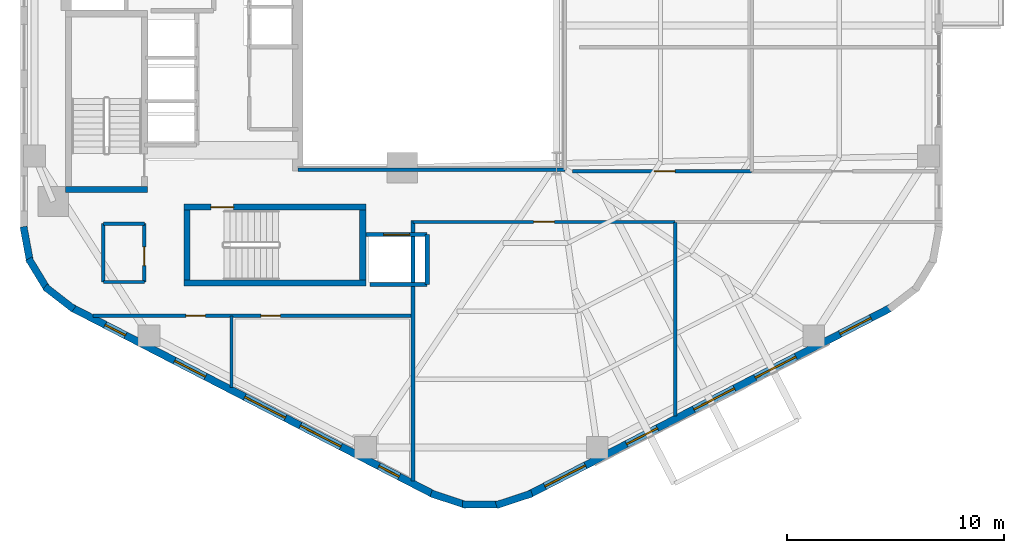
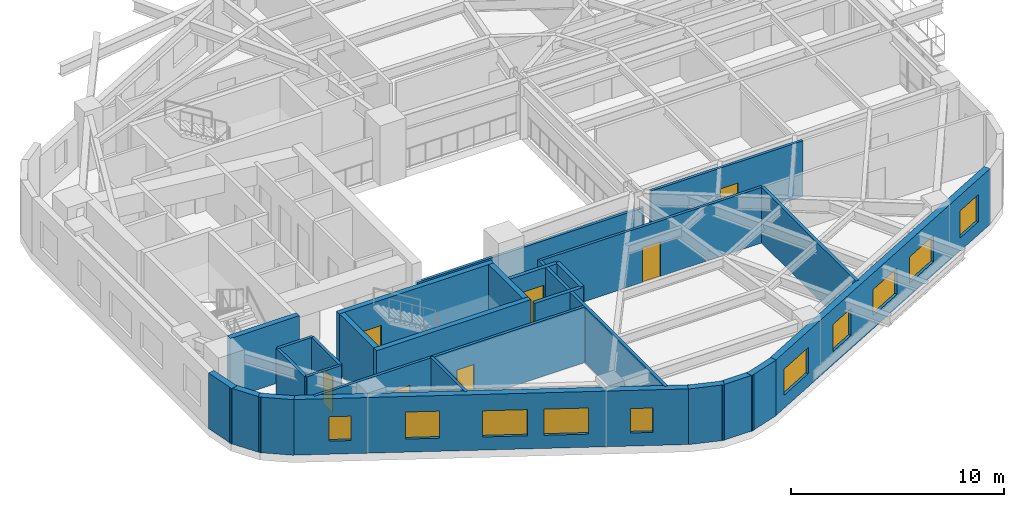
# One storey, part 4 of 9: 27 walls, 10 windows, 7 doors, 17 openings.
"""IFC4 building model written with IfcOpenShell, lengths in metres."""

from ifc_helpers import new_model, si_unit, direction, frame, frame_2d, origin, place, context, subcontext, project, spatial, rectangle, extrude, material, layer, layer_set, type_object, element, fill, save


model = new_model("IFC4")

# Units and contexts
model_context = context("Model", 3, precision=1e-05, world=origin(), true_north=direction((0.0, 1.0)))
body_context = subcontext(model_context, "Body", "Model", "MODEL_VIEW")
ifc_project = project(units=[si_unit("LENGTHUNIT", "METRE"), si_unit("AREAUNIT", "SQUARE_METRE"), si_unit("VOLUMEUNIT", "CUBIC_METRE"), si_unit("PLANEANGLEUNIT", "RADIAN"), si_unit("MASSUNIT", "GRAM", prefix="KILO"), si_unit("THERMODYNAMICTEMPERATUREUNIT", "KELVIN"), si_unit("POWERUNIT", "WATT")], contexts=[model_context])

# Site, building, storey
site_placement = place(None, origin())
site = spatial("IfcSite", under=ifc_project, at=site_placement, CompositionType="ELEMENT")
building_placement = place(site_placement, origin())
building = spatial("IfcBuilding", under=site, at=building_placement, Name="Skarre Station Tower", CompositionType="ELEMENT")
storey_placement = place(building_placement, frame((0.0, 0.0, 101.550048828125)))
storey = spatial("IfcBuildingStorey", under=building, at=storey_placement, Name="L26", CompositionType="ELEMENT", Elevation=101.550048828125)

# Walls
ifc_material_1 = material(Name="Acoustic Steel-Stud Gypsum Partition", Category="steel")
ifc_layer_1 = layer(ifc_material_1, 0.14990234375, Name="Acoustic Steel-Stud Gypsum Partition")
ifc_layer_set_1 = layer_set([ifc_layer_1], Name="Acoustic Steel-Stud Gypsum Partition")
wall_type_1 = type_object("IfcWallType", Name="Fire-Rated Corridor Acoustic Partition 150", PredefinedType="PARTITIONING", material=ifc_layer_set_1)
wall_1_placement = place(storey_placement, frame((18.60009765625, 15.8798828125, 0.0), z_axis=(0.0, 0.0, 1.0), x_axis=(0.0, -1.0, 0.0)))
element("IfcWall", 1, at=wall_1_placement, inside=storey, type_object=wall_type_1, Name="L26 Interior Partition WL-PT-L26-CSVC-W", PredefinedType="PARTITIONING", context=body_context, shape_type="SweptSolid", body=[
    extrude(rectangle(XDim=2.679931640625, YDim=0.14990234375, at=frame_2d((1.33984375, 0.0))), origin(), (0.0, 0.0, 1.0), 3.18994140625),
])
for number, where, z_axis, x_axis, name in (
    (2, (18.60009765625, 13.199951171875, 0.0), (0.0, 0.0, 1.0), (1.0, 0.0, 0.0), "L26 Interior Partition WL-PT-L26-CSVC-S"),
    (3, (18.60009765625, 15.8798828125, 0.0), (0.0, 0.0, 1.0), (1.0, 0.0, 0.0), "L26 Interior Partition WL-PT-L26-CSVC-N"),
):
    element("IfcWall", number, at=place(storey_placement, frame(where, z_axis=z_axis, x_axis=x_axis)), inside=storey, type_object=wall_type_1, Name=name, PredefinedType="PARTITIONING", context=body_context, shape_type="SweptSolid", body=[
        extrude(rectangle(XDim=1.889892578125, YDim=0.14990234375, at=frame_2d((0.94482421875, 0.0))), origin(), (0.0, 0.0, 1.0), 3.18994140625),
    ])

# Wall, opening, door
wall_2_placement = place(storey_placement, frame((20.489990234375, 13.199951171875, 0.0), z_axis=(0.0, 0.0, 1.0), x_axis=(0.0, 1.0, 0.0)))
wall_2 = element("IfcWall", 4, at=wall_2_placement, inside=storey, type_object=wall_type_1, Name="L26 Interior Partition WL-PT-L26-CSVC-E", PredefinedType="PARTITIONING", context=body_context, shape_type="SweptSolid", body=[
    extrude(rectangle(XDim=2.679931640625, YDim=0.14990234375, at=frame_2d((1.33984375, 0.0))), origin(), (0.0, 0.0, 1.0), 3.18994140625),
])
opening_1_placement = place(wall_2_placement, frame((0.75, 0.0, 0.0)))
opening_1 = element("IfcOpeningElement", 5, at=opening_1_placement, cuts=wall_2, Name="Opening DR-SVC86", PredefinedType="OPENING", context=body_context, shape_type="SweptSolid", body=[
    extrude(rectangle(XDim=0.860107421875, YDim=2.0, at=frame_2d((0.43017578125, 1.0))), frame((0.0, 0.0849609375, 0.0), z_axis=(0.0, -1.0, 0.0), x_axis=(1.0, 0.0, 0.0)), (0.0, 0.0, 1.0), 0.169921875),
])
ifc_material_2 = material(Name="Powder-Coated Hollow-Metal Acoustic Fire Leaf", Category="steel")
door_type_1 = type_object("IfcDoorType", Name="Compact Riser Fire Door FD60 860x2100", OperationType="SINGLE_SWING_LEFT", PredefinedType="DOOR", material=ifc_material_2)
door_1_placement = place(opening_1_placement, origin())
door_1 = element("IfcDoor", 6, at=door_1_placement, inside=storey, type_object=door_type_1, Name="L26 Supply Room Door", OperationType="SINGLE_SWING_LEFT", OverallHeight=2.0, OverallWidth=0.860107421875, PredefinedType="DOOR", context=body_context, shape_type="SweptSolid", body=[
    extrude(rectangle(XDim=0.860107421875, YDim=2.0, at=frame_2d((0.43017578125, 1.0))), frame((0.0, 0.02490234375, 0.0), z_axis=(0.0, -1.0, 0.0), x_axis=(1.0, 0.0, 0.0)), (0.0, 0.0, 1.0), 0.050048828125),
])
fill(opening_1, door_1)

# Walls
wall_3_placement = place(storey_placement, frame((27.550048828125, 18.360107421875, 0.0), z_axis=(0.0, 0.0, 1.0), x_axis=(1.0, 0.0, 0.0)))
element("IfcWall", 7, at=wall_3_placement, inside=storey, type_object=wall_type_1, Name="L26 Interior Partition WL-PT-L26-ATRW-S", PredefinedType="PARTITIONING", context=body_context, shape_type="SweptSolid", body=[
    extrude(rectangle(XDim=12.2900390625, YDim=0.14990234375, at=frame_2d((6.14501953125, 0.0))), origin(), (0.0, 0.0, 1.0), 2.3310546875),
])
wall_4_placement = place(storey_placement, frame((24.5, 8.35009765625, 0.0), z_axis=(0.0, 0.0, 1.0), x_axis=(0.0, 1.0, 0.0)))
element("IfcWall", 8, at=wall_4_placement, inside=storey, type_object=wall_type_1, Name="L26 Interior Partition WL-PT-L26-SWP-M", PredefinedType="PARTITIONING", context=body_context, shape_type="SweptSolid", body=[
    extrude(rectangle(XDim=3.289794921875, YDim=0.14990234375, at=frame_2d((1.64501953125, 0.0))), origin(), (0.0, 0.0, 1.0), 3.18994140625),
])

# Wall, openings, doors
wall_5_placement = place(storey_placement, frame((18.1259765625, 11.639892578125, 0.0), z_axis=(0.0, 0.0, 1.0), x_axis=(1.0, 0.0, 0.0)))
wall_5 = element("IfcWall", 9, at=wall_5_placement, inside=storey, type_object=wall_type_1, Name="L26 Interior Partition WL-PT-L26-SWP-N", PredefinedType="PARTITIONING", context=body_context, shape_type="SweptSolid", body=[
    extrude(rectangle(XDim=14.72412109375, YDim=0.14990234375, at=frame_2d((7.362060546875, 0.0))), origin(), (0.0, 0.0, 1.0), 3.18994140625),
])
opening_2_placement = place(wall_5_placement, frame((4.27392578125, 0.0, 0.0)))
opening_2 = element("IfcOpeningElement", 10, at=opening_2_placement, cuts=wall_5, Name="Opening DR-SVC90", PredefinedType="OPENING", context=body_context, shape_type="SweptSolid", body=[
    extrude(rectangle(XDim=0.89990234375, YDim=2.0, at=frame_2d((0.449951171875, 1.0))), frame((0.0, 0.0849609375, 0.0), z_axis=(0.0, -1.0, 0.0), x_axis=(1.0, 0.0, 0.0)), (0.0, 0.0, 1.0), 0.169921875),
])
opening_3_placement = place(wall_5_placement, frame((7.72412109375, 0.0, 0.0)))
opening_3 = element("IfcOpeningElement", 11, at=opening_3_placement, cuts=wall_5, Name="Opening DR-SVC90", PredefinedType="OPENING", context=body_context, shape_type="SweptSolid", body=[
    extrude(rectangle(XDim=0.89990234375, YDim=2.0, at=frame_2d((0.449951171875, 1.0))), frame((0.0, 0.0849609375, 0.0), z_axis=(0.0, -1.0, 0.0), x_axis=(1.0, 0.0, 0.0)), (0.0, 0.0, 1.0), 0.169921875),
])
door_type_2 = type_object("IfcDoorType", Name="Service & Riser Fire Door FD60 900x2100", OperationType="SINGLE_SWING_LEFT", PredefinedType="DOOR", material=ifc_material_2)
door_2_placement = place(opening_2_placement, origin())
door_2 = element("IfcDoor", 12, at=door_2_placement, inside=storey, type_object=door_type_2, Name="L26 Floor Public Toilets Door", OperationType="SINGLE_SWING_LEFT", OverallHeight=2.0, OverallWidth=0.89990234375, PredefinedType="DOOR", context=body_context, shape_type="SweptSolid", body=[
    extrude(rectangle(XDim=0.89990234375, YDim=2.0, at=frame_2d((0.449951171875, 1.0))), frame((0.0, 0.02490234375, 0.0), z_axis=(0.0, -1.0, 0.0), x_axis=(1.0, 0.0, 0.0)), (0.0, 0.0, 1.0), 0.050048828125),
])
fill(opening_2, door_2)
door_3_placement = place(opening_3_placement, origin())
door_3 = element("IfcDoor", 13, at=door_3_placement, inside=storey, type_object=door_type_2, Name="L26 Housekeeping Room Door", OperationType="SINGLE_SWING_LEFT", OverallHeight=2.0, OverallWidth=0.89990234375, PredefinedType="DOOR", context=body_context, shape_type="SweptSolid", body=[
    extrude(rectangle(XDim=0.89990234375, YDim=2.0, at=frame_2d((0.449951171875, 1.0))), frame((0.0, 0.02490234375, 0.0), z_axis=(0.0, -1.0, 0.0), x_axis=(1.0, 0.0, 0.0)), (0.0, 0.0, 1.0), 0.050048828125),
])
fill(opening_3, door_3)

# Wall, opening, door
wall_6_placement = place(storey_placement, frame((48.428955078125, 18.2900390625, 0.0), z_axis=(0.0, 0.0, 1.0), x_axis=(-1.0, 0.0, 0.0)))
wall_6 = element("IfcWall", 14, at=wall_6_placement, inside=storey, type_object=wall_type_1, Name="L26 Interior Partition WL-PT-L26-EWS1-CW", PredefinedType="PARTITIONING", context=body_context, shape_type="SweptSolid", body=[
    extrude(rectangle(XDim=8.22900390625, YDim=0.14990234375, at=frame_2d((4.114501953125, 0.0))), origin(), (0.0, 0.0, 1.0), 3.18994140625),
])
opening_4_placement = place(wall_6_placement, frame((3.513916015625, 0.0, 0.0)))
opening_4 = element("IfcOpeningElement", 15, at=opening_4_placement, cuts=wall_6, Name="Opening DR-FD60", PredefinedType="OPENING", context=body_context, shape_type="SweptSolid", body=[
    extrude(rectangle(XDim=0.9599609375, YDim=2.0, at=frame_2d((0.47998046875, 1.0))), frame((0.0, 0.0849609375, 0.0), z_axis=(0.0, -1.0, 0.0), x_axis=(1.0, 0.0, 0.0)), (0.0, 0.0, 1.0), 0.169921875),
])
ifc_material_3 = material(Name="Nordic White-Oak Veneer Solid-Core Fire Leaf", Category="wood")
door_type_3 = type_object("IfcDoorType", Name="Corridor Suite Entry Fire Door FD60 960x2150", OperationType="SINGLE_SWING_LEFT", PredefinedType="DOOR", material=ifc_material_3)
door_4_placement = place(opening_4_placement, origin())
door_4 = element("IfcDoor", 16, at=door_4_placement, inside=storey, type_object=door_type_3, Name="L26 EWS1 Entry Door", OperationType="SINGLE_SWING_LEFT", OverallHeight=2.0, OverallWidth=0.9599609375, PredefinedType="DOOR", context=body_context, shape_type="SweptSolid", body=[
    extrude(rectangle(XDim=0.9599609375, YDim=2.0, at=frame_2d((0.47998046875, 1.0))), frame((0.0, 0.02490234375, 0.0), z_axis=(0.0, -1.0, 0.0), x_axis=(1.0, 0.0, 0.0)), (0.0, 0.0, 1.0), 0.050048828125),
])
fill(opening_4, door_4)

wall_7_placement = place(storey_placement, frame((32.85009765625, 15.9599609375, 0.0), z_axis=(0.0, 0.0, 1.0), x_axis=(1.0, 0.0, 0.0)))
wall_7 = element("IfcWall", 17, at=wall_7_placement, inside=storey, type_object=wall_type_1, Name="L26 Interior Partition WL-PT-L26-SW1-CW", PredefinedType="PARTITIONING", context=body_context, shape_type="SweptSolid", body=[
    extrude(rectangle(XDim=12.05078125, YDim=0.14990234375, at=frame_2d((6.025390625, 0.0))), origin(), (0.0, 0.0, 1.0), 3.18994140625),
])
opening_5_placement = place(wall_7_placement, frame((5.5458984375, 0.0, 0.0)))
opening_5 = element("IfcOpeningElement", 18, at=opening_5_placement, cuts=wall_7, Name="Opening DR-FD60", PredefinedType="OPENING", context=body_context, shape_type="SweptSolid", body=[
    extrude(rectangle(XDim=0.9599609375, YDim=2.0, at=frame_2d((0.47998046875, 1.0))), frame((0.0, 0.0849609375, 0.0), z_axis=(0.0, -1.0, 0.0), x_axis=(1.0, 0.0, 0.0)), (0.0, 0.0, 1.0), 0.169921875),
])
door_5_placement = place(opening_5_placement, origin())
door_5 = element("IfcDoor", 19, at=door_5_placement, inside=storey, type_object=door_type_3, Name="L26 SW1 Entry Door", OperationType="SINGLE_SWING_LEFT", OverallHeight=2.0, OverallWidth=0.9599609375, PredefinedType="DOOR", context=body_context, shape_type="SweptSolid", body=[
    extrude(rectangle(XDim=0.9599609375, YDim=2.0, at=frame_2d((0.47998046875, 1.0))), frame((0.0, 0.02490234375, 0.0), z_axis=(0.0, -1.0, 0.0), x_axis=(1.0, 0.0, 0.0)), (0.0, 0.0, 1.0), 0.050048828125),
])
fill(opening_5, door_5)

# Wall, openings, windows
ifc_material_4 = material(Name="Precast concrete C45/55", Category="concrete")
ifc_layer_2 = layer(ifc_material_4, 0.340087890625, Name="Precast concrete C45/55")
ifc_layer_set_2 = layer_set([ifc_layer_2], Name="Precast concrete C45/55")
wall_type_2 = type_object("IfcWallType", Name="Nordic Honed Precast Facet Wall 340", PredefinedType="STANDARD", material=ifc_layer_set_2)
wall_8_placement = place(storey_placement, frame((33.76904296875, 3.44189453125, 0.0), z_axis=(0.0, 0.0, 1.0), x_axis=(-0.888613612362, 0.458656568606, 0.0)))
wall_8 = element("IfcWall", 20, at=wall_8_placement, inside=storey, type_object=wall_type_2, Name="L26 Facet 3 Nordic Precast Masonry Wall", PredefinedType="STANDARD", context=body_context, shape_type="SweptSolid", body=[
    extrude(rectangle(XDim=18.680908203125, YDim=0.340087890625, at=frame_2d((9.34033203125, 0.0))), origin(), (0.0, 0.0, 1.0), 3.18994140625),
])
opening_6_placement = place(wall_8_placement, frame((1.75, 0.0, 0.75)))
opening_6 = element("IfcOpeningElement", 21, at=opening_6_placement, cuts=wall_8, Name="Opening WN-SLT", PredefinedType="OPENING", context=body_context, shape_type="SweptSolid", body=[
    extrude(rectangle(XDim=1.050048828125, YDim=1.39990234375, at=frame_2d((0.52490234375, 0.699951171875))), frame((0.0, 0.179931640625, 0.0), z_axis=(0.0, -1.0, 0.0), x_axis=(1.0, 0.0, 0.0)), (0.0, 0.0, 1.0), 0.360107421875),
])
opening_7_placement = place(wall_8_placement, frame((4.764892578125, 0.0, 0.75)))
opening_7 = element("IfcOpeningElement", 22, at=opening_7_placement, cuts=wall_8, Name="Opening WN-Z2B", PredefinedType="OPENING", context=body_context, shape_type="SweptSolid", body=[
    extrude(rectangle(XDim=2.10009765625, YDim=1.5, at=frame_2d((1.050048828125, 0.75))), frame((0.0, 0.179931640625, 0.0), z_axis=(0.0, -1.0, 0.0), x_axis=(1.0, 0.0, 0.0)), (0.0, 0.0, 1.0), 0.360107421875),
])
opening_8_placement = place(wall_8_placement, frame((7.64404296875, 0.0, 0.75)))
opening_8 = element("IfcOpeningElement", 23, at=opening_8_placement, cuts=wall_8, Name="Opening WN-Z2B", PredefinedType="OPENING", context=body_context, shape_type="SweptSolid", body=[
    extrude(rectangle(XDim=2.10009765625, YDim=1.5, at=frame_2d((1.050048828125, 0.75))), frame((0.0, 0.179931640625, 0.0), z_axis=(0.0, -1.0, 0.0), x_axis=(1.0, 0.0, 0.0)), (0.0, 0.0, 1.0), 0.360107421875),
])
opening_9_placement = place(wall_8_placement, frame((11.77392578125, 0.0, 0.75)))
opening_9 = element("IfcOpeningElement", 24, at=opening_9_placement, cuts=wall_8, Name="Opening WN-Z2A", PredefinedType="OPENING", context=body_context, shape_type="SweptSolid", body=[
    extrude(rectangle(XDim=1.60009765625, YDim=1.550048828125, at=frame_2d((0.800048828125, 0.77490234375))), frame((0.0, 0.179931640625, 0.0), z_axis=(0.0, -1.0, 0.0), x_axis=(1.0, 0.0, 0.0)), (0.0, 0.0, 1.0), 0.360107421875),
])
opening_10_placement = place(wall_8_placement, frame((15.919921875, 0.0, 0.75)))
opening_10 = element("IfcOpeningElement", 25, at=opening_10_placement, cuts=wall_8, Name="Opening WN-SLT", PredefinedType="OPENING", context=body_context, shape_type="SweptSolid", body=[
    extrude(rectangle(XDim=1.050048828125, YDim=1.39990234375, at=frame_2d((0.52490234375, 0.699951171875))), frame((0.0, 0.179931640625, 0.0), z_axis=(0.0, -1.0, 0.0), x_axis=(1.0, 0.0, 0.0)), (0.0, 0.0, 1.0), 0.360107421875),
])
ifc_material_5 = material(Name="Low-Iron Triple Glazing with Bronze Anodized Frame", Category="glass")
window_type_1 = type_object("IfcWindowType", Name="Nordic Corner Slot Window 1050x1400", PartitioningType="SINGLE_PANEL", PredefinedType="WINDOW", material=ifc_material_5)
window_1_placement = place(opening_6_placement, origin())
window_1 = element("IfcWindow", 26, at=window_1_placement, inside=storey, type_object=window_type_1, Name="L26 Facade Window WL-FAC-L26-F3-1", OverallHeight=1.39990234375, OverallWidth=1.050048828125, PartitioningType="SINGLE_PANEL", PredefinedType="WINDOW", context=body_context, shape_type="SweptSolid", body=[
    extrude(rectangle(XDim=1.050048828125, YDim=1.39990234375, at=frame_2d((0.52490234375, 0.699951171875))), frame((0.0, 0.030029296875, 0.0), z_axis=(0.0, -1.0, 0.0), x_axis=(1.0, 0.0, 0.0)), (0.0, 0.0, 1.0), 0.06005859375),
])
fill(opening_6, window_1)
window_2_placement = place(opening_10_placement, origin())
window_2 = element("IfcWindow", 27, at=window_2_placement, inside=storey, type_object=window_type_1, Name="L26 Facade Window WL-FAC-L26-F3-5", OverallHeight=1.39990234375, OverallWidth=1.050048828125, PartitioningType="SINGLE_PANEL", PredefinedType="WINDOW", context=body_context, shape_type="SweptSolid", body=[
    extrude(rectangle(XDim=1.050048828125, YDim=1.39990234375, at=frame_2d((0.52490234375, 0.699951171875))), frame((0.0, 0.030029296875, 0.0), z_axis=(0.0, -1.0, 0.0), x_axis=(1.0, 0.0, 0.0)), (0.0, 0.0, 1.0), 0.06005859375),
])
fill(opening_10, window_2)
window_type_2 = type_object("IfcWindowType", Name="Nordic Residential Tall Window 1600x1550", PartitioningType="SINGLE_PANEL", PredefinedType="WINDOW", material=ifc_material_5)
window_3_placement = place(opening_9_placement, origin())
window_3 = element("IfcWindow", 28, at=window_3_placement, inside=storey, type_object=window_type_2, Name="L26 Facade Window WL-FAC-L26-F3-4", OverallHeight=1.550048828125, OverallWidth=1.60009765625, PartitioningType="SINGLE_PANEL", PredefinedType="WINDOW", context=body_context, shape_type="SweptSolid", body=[
    extrude(rectangle(XDim=1.60009765625, YDim=1.550048828125, at=frame_2d((0.800048828125, 0.77490234375))), frame((0.0, 0.030029296875, 0.0), z_axis=(0.0, -1.0, 0.0), x_axis=(1.0, 0.0, 0.0)), (0.0, 0.0, 1.0), 0.06005859375),
])
fill(opening_9, window_3)
window_type_3 = type_object("IfcWindowType", Name="Nordic Residential Twin Window 2100x1500", PartitioningType="SINGLE_PANEL", PredefinedType="WINDOW", material=ifc_material_5)
window_4_placement = place(opening_7_placement, origin())
window_4 = element("IfcWindow", 29, at=window_4_placement, inside=storey, type_object=window_type_3, Name="L26 Facade Window WL-FAC-L26-F3-2", OverallHeight=1.5, OverallWidth=2.10009765625, PartitioningType="SINGLE_PANEL", PredefinedType="WINDOW", context=body_context, shape_type="SweptSolid", body=[
    extrude(rectangle(XDim=2.10009765625, YDim=1.5, at=frame_2d((1.050048828125, 0.75))), frame((0.0, 0.030029296875, 0.0), z_axis=(0.0, -1.0, 0.0), x_axis=(1.0, 0.0, 0.0)), (0.0, 0.0, 1.0), 0.06005859375),
])
fill(opening_7, window_4)
window_5_placement = place(opening_8_placement, origin())
window_5 = element("IfcWindow", 30, at=window_5_placement, inside=storey, type_object=window_type_3, Name="L26 Facade Window WL-FAC-L26-F3-3", OverallHeight=1.5, OverallWidth=2.10009765625, PartitioningType="SINGLE_PANEL", PredefinedType="WINDOW", context=body_context, shape_type="SweptSolid", body=[
    extrude(rectangle(XDim=2.10009765625, YDim=1.5, at=frame_2d((1.050048828125, 0.75))), frame((0.0, 0.030029296875, 0.0), z_axis=(0.0, -1.0, 0.0), x_axis=(1.0, 0.0, 0.0)), (0.0, 0.0, 1.0), 0.06005859375),
])
fill(opening_8, window_5)

wall_9_placement = place(storey_placement, frame((54.8310546875, 12.010009765625, 0.0), z_axis=(0.0, 0.0, 1.0), x_axis=(-0.888613612362, -0.458656568606, 0.0)))
wall_9 = element("IfcWall", 31, at=wall_9_placement, inside=storey, type_object=wall_type_2, Name="L26 Facet 4 Nordic Precast Masonry Wall", PredefinedType="STANDARD", context=body_context, shape_type="SweptSolid", body=[
    extrude(rectangle(XDim=18.680908203125, YDim=0.340087890625, at=frame_2d((9.34033203125, 0.0))), origin(), (0.0, 0.0, 1.0), 3.18994140625),
])
opening_11_placement = place(wall_9_placement, frame((1.02294921875, 0.0, 0.75)))
opening_11 = element("IfcOpeningElement", 32, at=opening_11_placement, cuts=wall_9, Name="Opening WN-Z2A", PredefinedType="OPENING", context=body_context, shape_type="SweptSolid", body=[
    extrude(rectangle(XDim=1.60009765625, YDim=1.550048828125, at=frame_2d((0.800048828125, 0.77490234375))), frame((0.0, 0.179931640625, 0.0), z_axis=(0.0, -1.0, 0.0), x_axis=(1.0, 0.0, 0.0)), (0.0, 0.0, 1.0), 0.360107421875),
])
opening_12_placement = place(wall_9_placement, frame((4.9140625, 0.0, 0.75)))
opening_12 = element("IfcOpeningElement", 33, at=opening_12_placement, cuts=wall_9, Name="Opening WN-Z2B", PredefinedType="OPENING", context=body_context, shape_type="SweptSolid", body=[
    extrude(rectangle(XDim=2.10009765625, YDim=1.5, at=frame_2d((1.050048828125, 0.75))), frame((0.0, 0.179931640625, 0.0), z_axis=(0.0, -1.0, 0.0), x_axis=(1.0, 0.0, 0.0)), (0.0, 0.0, 1.0), 0.360107421875),
])
opening_13_placement = place(wall_9_placement, frame((8.092041015625, 0.0, 0.75)))
opening_13 = element("IfcOpeningElement", 34, at=opening_13_placement, cuts=wall_9, Name="Opening WN-Z2B", PredefinedType="OPENING", context=body_context, shape_type="SweptSolid", body=[
    extrude(rectangle(XDim=2.10009765625, YDim=1.5, at=frame_2d((1.050048828125, 0.75))), frame((0.0, 0.179931640625, 0.0), z_axis=(0.0, -1.0, 0.0), x_axis=(1.0, 0.0, 0.0)), (0.0, 0.0, 1.0), 0.360107421875),
])
opening_14_placement = place(wall_9_placement, frame((12.080078125, 0.0, 0.75)))
opening_14 = element("IfcOpeningElement", 35, at=opening_14_placement, cuts=wall_9, Name="Opening WN-Z2A", PredefinedType="OPENING", context=body_context, shape_type="SweptSolid", body=[
    extrude(rectangle(XDim=1.60009765625, YDim=1.550048828125, at=frame_2d((0.800048828125, 0.77490234375))), frame((0.0, 0.179931640625, 0.0), z_axis=(0.0, -1.0, 0.0), x_axis=(1.0, 0.0, 0.0)), (0.0, 0.0, 1.0), 0.360107421875),
])
opening_15_placement = place(wall_9_placement, frame((15.80810546875, 0.0, 0.75)))
opening_15 = element("IfcOpeningElement", 36, at=opening_15_placement, cuts=wall_9, Name="Opening WN-Z2B", PredefinedType="OPENING", context=body_context, shape_type="SweptSolid", body=[
    extrude(rectangle(XDim=2.10009765625, YDim=1.5, at=frame_2d((1.050048828125, 0.75))), frame((0.0, 0.179931640625, 0.0), z_axis=(0.0, -1.0, 0.0), x_axis=(1.0, 0.0, 0.0)), (0.0, 0.0, 1.0), 0.360107421875),
])
window_6_placement = place(opening_11_placement, origin())
window_6 = element("IfcWindow", 37, at=window_6_placement, inside=storey, type_object=window_type_2, Name="L26 Facade Window WL-FAC-L26-F4-1", OverallHeight=1.550048828125, OverallWidth=1.60009765625, PartitioningType="SINGLE_PANEL", PredefinedType="WINDOW", context=body_context, shape_type="SweptSolid", body=[
    extrude(rectangle(XDim=1.60009765625, YDim=1.550048828125, at=frame_2d((0.800048828125, 0.77490234375))), frame((0.0, 0.030029296875, 0.0), z_axis=(0.0, -1.0, 0.0), x_axis=(1.0, 0.0, 0.0)), (0.0, 0.0, 1.0), 0.06005859375),
])
fill(opening_11, window_6)
window_7_placement = place(opening_14_placement, origin())
window_7 = element("IfcWindow", 38, at=window_7_placement, inside=storey, type_object=window_type_2, Name="L26 Facade Window WL-FAC-L26-F4-4", OverallHeight=1.550048828125, OverallWidth=1.60009765625, PartitioningType="SINGLE_PANEL", PredefinedType="WINDOW", context=body_context, shape_type="SweptSolid", body=[
    extrude(rectangle(XDim=1.60009765625, YDim=1.550048828125, at=frame_2d((0.800048828125, 0.77490234375))), frame((0.0, 0.030029296875, 0.0), z_axis=(0.0, -1.0, 0.0), x_axis=(1.0, 0.0, 0.0)), (0.0, 0.0, 1.0), 0.06005859375),
])
fill(opening_14, window_7)
window_8_placement = place(opening_12_placement, origin())
window_8 = element("IfcWindow", 39, at=window_8_placement, inside=storey, type_object=window_type_3, Name="L26 Facade Window WL-FAC-L26-F4-2", OverallHeight=1.5, OverallWidth=2.10009765625, PartitioningType="SINGLE_PANEL", PredefinedType="WINDOW", context=body_context, shape_type="SweptSolid", body=[
    extrude(rectangle(XDim=2.10009765625, YDim=1.5, at=frame_2d((1.050048828125, 0.75))), frame((0.0, 0.030029296875, 0.0), z_axis=(0.0, -1.0, 0.0), x_axis=(1.0, 0.0, 0.0)), (0.0, 0.0, 1.0), 0.06005859375),
])
fill(opening_12, window_8)
window_9_placement = place(opening_13_placement, origin())
window_9 = element("IfcWindow", 40, at=window_9_placement, inside=storey, type_object=window_type_3, Name="L26 Facade Window WL-FAC-L26-F4-3", OverallHeight=1.5, OverallWidth=2.10009765625, PartitioningType="SINGLE_PANEL", PredefinedType="WINDOW", context=body_context, shape_type="SweptSolid", body=[
    extrude(rectangle(XDim=2.10009765625, YDim=1.5, at=frame_2d((1.050048828125, 0.75))), frame((0.0, 0.030029296875, 0.0), z_axis=(0.0, -1.0, 0.0), x_axis=(1.0, 0.0, 0.0)), (0.0, 0.0, 1.0), 0.06005859375),
])
fill(opening_13, window_9)
window_10_placement = place(opening_15_placement, origin())
window_10 = element("IfcWindow", 41, at=window_10_placement, inside=storey, type_object=window_type_3, Name="L26 Facade Window WL-FAC-L26-F4-5", OverallHeight=1.5, OverallWidth=2.10009765625, PartitioningType="SINGLE_PANEL", PredefinedType="WINDOW", context=body_context, shape_type="SweptSolid", body=[
    extrude(rectangle(XDim=2.10009765625, YDim=1.5, at=frame_2d((1.050048828125, 0.75))), frame((0.0, 0.030029296875, 0.0), z_axis=(0.0, -1.0, 0.0), x_axis=(1.0, 0.0, 0.0)), (0.0, 0.0, 1.0), 0.06005859375),
])
fill(opening_15, window_10)

# Walls
ifc_layer_3 = layer(ifc_material_4, 0.330078125, Name="Precast concrete C45/55")
ifc_layer_set_3 = layer_set([ifc_layer_3], Name="Precast concrete C45/55")
wall_type_3 = type_object("IfcWallType", Name="Nordic Rounded Corner Precast Wall 330", PredefinedType="STANDARD", material=ifc_layer_set_3)
wall_10_placement = place(storey_placement, frame((17.242919921875, 11.949951171875, 0.0), z_axis=(0.0, 0.0, 1.0), x_axis=(-0.790621329885, 0.612305408053, 0.0)))
element("IfcWall", 42, at=wall_10_placement, inside=storey, type_object=wall_type_3, Name="L26 Rounded Corner Precast Wall F3-1", PredefinedType="STANDARD", context=body_context, shape_type="SweptSolid", body=[
    extrude(rectangle(XDim=1.67578125, YDim=0.330078125, at=frame_2d((0.837890625, 0.0))), origin(), (0.0, 0.0, 1.0), 3.18994140625),
])
wall_11_placement = place(storey_placement, frame((16.04296875, 12.8359375, 0.0), z_axis=(0.0, 0.0, 1.0), x_axis=(-0.520519429557, 0.853849824883, 0.0)))
element("IfcWall", 43, at=wall_11_placement, inside=storey, type_object=wall_type_3, Name="L26 Rounded Corner Precast Wall F3-2", PredefinedType="STANDARD", context=body_context, shape_type="SweptSolid", body=[
    extrude(rectangle(XDim=1.67724609375, YDim=0.330078125, at=frame_2d((0.838623046875, 0.0))), origin(), (0.0, 0.0, 1.0), 3.18994140625),
])
wall_12_placement = place(storey_placement, frame((15.237060546875, 14.093017578125, 0.0), z_axis=(0.0, 0.0, 1.0), x_axis=(-0.181984991895, 0.983301308209, 0.0)))
element("IfcWall", 44, at=wall_12_placement, inside=storey, type_object=wall_type_3, Name="L26 Rounded Corner Precast Wall F3-3", PredefinedType="STANDARD", context=body_context, shape_type="SweptSolid", body=[
    extrude(rectangle(XDim=1.677001953125, YDim=0.330078125, at=frame_2d((0.83837890625, 0.0))), origin(), (0.0, 0.0, 1.0), 3.18994140625),
])
for number, where, z_axis, x_axis, name in (
    (45, (38.319091796875, 3.468017578125, 0.0), (0.0, 0.0, 1.0), (-0.949937416267, -0.312440242569, 0.0), "L26 Rounded Corner Precast Wall F4-1"),
    (46, (36.861083984375, 2.958984375, 0.0), (0.0, 0.0, 1.0), (-1.0, 0.0, 0.0), "L26 Rounded Corner Precast Wall F4-2"),
    (47, (35.31689453125, 2.929931640625, 0.0), (0.0, 0.0, 1.0), (-0.949937416267, 0.312440242569, 0.0), "L26 Rounded Corner Precast Wall F4-3"),
):
    element("IfcWall", number, at=place(storey_placement, frame(where, z_axis=z_axis, x_axis=x_axis)), inside=storey, type_object=wall_type_3, Name=name, PredefinedType="STANDARD", context=body_context, shape_type="SweptSolid", body=[
        extrude(rectangle(XDim=1.72216796875, YDim=0.330078125, at=frame_2d((0.861083984375, 0.0))), origin(), (0.0, 0.0, 1.0), 3.18994140625),
    ])
ifc_material_6 = material(Name="Concrete C50/60", Category="concrete")
ifc_layer_4 = layer(ifc_material_6, 0.280029296875, Name="Concrete C50/60")
ifc_layer_set_4 = layer_set([ifc_layer_4], Name="Concrete C50/60")
wall_type_4 = type_object("IfcWallType", Name="RC Core Shear Wall 280", PredefinedType="SHEAR", material=ifc_layer_set_4)
wall_13_placement = place(storey_placement, frame((16.8701171875, 17.4599609375, 0.0), z_axis=(0.0, 0.0, 1.0), x_axis=(1.0, 0.0, 0.0)))
element("IfcWall", 48, at=wall_13_placement, inside=storey, type_object=wall_type_4, Name="L26 Stair ST-1 South Shear Wall", PredefinedType="SHEAR", context=body_context, shape_type="SweptSolid", body=[
    extrude(rectangle(XDim=3.759765625, YDim=0.280029296875, at=frame_2d((1.8798828125, 0.0))), origin(), (0.0, 0.0, 1.0), 3.449951171875),
])
wall_14_placement = place(storey_placement, frame((22.320068359375, 13.159912109375, 0.0), z_axis=(0.0, 0.0, 1.0), x_axis=(1.0, 0.0, 0.0)))
element("IfcWall", 49, at=wall_14_placement, inside=storey, type_object=wall_type_4, Name="L26 Stair ST-2 South Shear Wall", PredefinedType="SHEAR", context=body_context, shape_type="SweptSolid", body=[
    extrude(rectangle(XDim=8.35986328125, YDim=0.280029296875, at=frame_2d((4.179931640625, 0.0))), origin(), (0.0, 0.0, 1.0), 3.449951171875),
])

# Wall, opening, door
wall_15_placement = place(storey_placement, frame((30.679931640625, 16.639892578125, 0.0), z_axis=(0.0, 0.0, 1.0), x_axis=(-1.0, 0.0, 0.0)))
wall_15 = element("IfcWall", 50, at=wall_15_placement, inside=storey, type_object=wall_type_4, Name="L26 Stair ST-2 North Shear Wall", PredefinedType="SHEAR", context=body_context, shape_type="SweptSolid", body=[
    extrude(rectangle(XDim=8.35986328125, YDim=0.280029296875, at=frame_2d((4.179931640625, 0.0))), origin(), (0.0, 0.0, 1.0), 3.449951171875),
])
opening_16_placement = place(wall_15_placement, frame((6.080078125, 0.0, 0.0)))
opening_16 = element("IfcOpeningElement", 51, at=opening_16_placement, cuts=wall_15, Name="Opening DR-FD90", PredefinedType="OPENING", context=body_context, shape_type="SweptSolid", body=[
    extrude(rectangle(XDim=1.050048828125, YDim=2.0, at=frame_2d((0.52490234375, 1.0))), frame((0.0, 0.14990234375, 0.0), z_axis=(0.0, -1.0, 0.0), x_axis=(1.0, 0.0, 0.0)), (0.0, 0.0, 1.0), 0.300048828125),
])
ifc_material_7 = material(Name="Fire-Rated Insulated Steel Frame & Timber Core Leaf", Category="steel")
door_type_4 = type_object("IfcDoorType", Name="Stair & FSAE Lobby Fire Door FD90 1050x2150", OperationType="SINGLE_SWING_RIGHT", PredefinedType="DOOR", material=ifc_material_7)
door_6_placement = place(opening_16_placement, origin())
door_6 = element("IfcDoor", 52, at=door_6_placement, inside=storey, type_object=door_type_4, Name="L26 Stair ST-2 Exit Door", OperationType="SINGLE_SWING_RIGHT", OverallHeight=2.0, OverallWidth=1.050048828125, PredefinedType="DOOR", context=body_context, shape_type="SweptSolid", body=[
    extrude(rectangle(XDim=1.050048828125, YDim=2.0, at=frame_2d((0.52490234375, 1.0))), frame((0.0, 0.02490234375, 0.0), z_axis=(0.0, -1.0, 0.0), x_axis=(1.0, 0.0, 0.0)), (0.0, 0.0, 1.0), 0.050048828125),
])
fill(opening_16, door_6)

# Walls
for number, where, z_axis, x_axis, name in (
    (53, (22.4599609375, 16.5, 0.0), (0.0, 0.0, 1.0), (0.0, -1.0, 0.0), "L26 Stair ST-2 West Shear Wall"),
    (54, (30.5400390625, 13.300048828125, 0.0), (0.0, 0.0, 1.0), (0.0, 1.0, 0.0), "L26 Stair ST-2 East Shear Wall"),
):
    element("IfcWall", number, at=place(storey_placement, frame(where, z_axis=z_axis, x_axis=x_axis)), inside=storey, type_object=wall_type_4, Name=name, PredefinedType="SHEAR", context=body_context, shape_type="SweptSolid", body=[
        extrude(rectangle(XDim=3.199951171875, YDim=0.280029296875, at=frame_2d((1.60009765625, 0.0))), origin(), (0.0, 0.0, 1.0), 3.449951171875),
    ])

# Wall, opening, door
ifc_material_8 = material(Name="Gypsum Concrete Shaft Assembly C30/37", Category="concrete")
ifc_layer_5 = layer(ifc_material_8, 0.199951171875, Name="Gypsum Concrete Shaft Assembly C30/37")
ifc_layer_set_5 = layer_set([ifc_layer_5], Name="Gypsum Concrete Shaft Assembly C30/37")
wall_type_5 = type_object("IfcWallType", Name="Shaft & Core Fire Partition 200", PredefinedType="PARTITIONING", material=ifc_layer_set_5)
wall_16_placement = place(storey_placement, frame((33.5, 15.3798828125, 0.0), z_axis=(0.0, 0.0, 1.0), x_axis=(-1.0, 0.0, 0.0)))
wall_16 = element("IfcWall", 55, at=wall_16_placement, inside=storey, type_object=wall_type_5, Name="L26 Interior Partition WL-PT-L26-SV1-N", PredefinedType="PARTITIONING", context=body_context, shape_type="SweptSolid", body=[
    extrude(rectangle(XDim=2.820068359375, YDim=0.199951171875, at=frame_2d((1.41015625, 0.0))), origin(), (0.0, 0.0, 1.0), 3.18994140625),
])
opening_17_placement = place(wall_16_placement, frame((0.800048828125, 0.0, 0.0)))
opening_17 = element("IfcOpeningElement", 56, at=opening_17_placement, cuts=wall_16, Name="Opening LD-SV1", PredefinedType="OPENING", context=body_context, shape_type="SweptSolid", body=[
    extrude(rectangle(XDim=1.199951171875, YDim=2.199951171875, at=frame_2d((0.60009765625, 1.10009765625))), frame((0.0, 0.10986328125, 0.0), z_axis=(0.0, -1.0, 0.0), x_axis=(1.0, 0.0, 0.0)), (0.0, 0.0, 1.0), 0.219970703125),
])
ifc_material_9 = material(Name="Heavy-Gauge Brushed Stainless Steel Sliding Leaves", Category="steel")
door_type_5 = type_object("IfcDoorType", Name="Service Elevator Wide Sliding Landing Door 1200x2200", OperationType="SLIDING_TO_RIGHT", PredefinedType="DOOR", material=ifc_material_9)
door_7_placement = place(opening_17_placement, origin())
door_7 = element("IfcDoor", 57, at=door_7_placement, inside=storey, type_object=door_type_5, Name="L26 Service Lift LF-SV1 Landing Door", OperationType="SLIDING_TO_RIGHT", OverallHeight=2.199951171875, OverallWidth=1.199951171875, PredefinedType="DOOR", context=body_context, shape_type="SweptSolid", body=[
    extrude(rectangle(XDim=1.199951171875, YDim=2.199951171875, at=frame_2d((0.60009765625, 1.10009765625))), frame((0.0, 0.02490234375, 0.0), z_axis=(0.0, -1.0, 0.0), x_axis=(1.0, 0.0, 0.0)), (0.0, 0.0, 1.0), 0.050048828125),
])
fill(opening_17, door_7)

# Walls
wall_17_placement = place(storey_placement, frame((33.5, 13.080078125, 0.0), z_axis=(0.0, 0.0, 1.0), x_axis=(0.0, 1.0, 0.0)))
element("IfcWall", 58, at=wall_17_placement, inside=storey, type_object=wall_type_5, Name="L26 Interior Partition WL-PT-L26-SV1-E", PredefinedType="PARTITIONING", context=body_context, shape_type="SweptSolid", body=[
    extrude(rectangle(XDim=2.2998046875, YDim=0.199951171875, at=frame_2d((1.14990234375, 0.0))), origin(), (0.0, 0.0, 1.0), 3.18994140625),
])
wall_18_placement = place(storey_placement, frame((30.87890625, 13.080078125, 0.0), z_axis=(0.0, 0.0, 1.0), x_axis=(1.0, 0.0, 0.0)))
element("IfcWall", 59, at=wall_18_placement, inside=storey, type_object=wall_type_5, Name="L26 Interior Partition WL-PT-L26-SV1-S", PredefinedType="PARTITIONING", context=body_context, shape_type="SweptSolid", body=[
    extrude(rectangle(XDim=2.62109375, YDim=0.199951171875, at=frame_2d((1.310546875, 0.0))), origin(), (0.0, 0.0, 1.0), 3.18994140625),
])
ifc_layer_6 = layer(ifc_material_1, 0.1650390625, Name="Acoustic Steel-Stud Gypsum Partition")
ifc_layer_set_6 = layer_set([ifc_layer_6], Name="Acoustic Steel-Stud Gypsum Partition")
wall_type_6 = type_object("IfcWallType", Name="Suite Demising Acoustic Partition 165", PredefinedType="PARTITIONING", material=ifc_layer_set_6)
wall_19_placement = place(storey_placement, frame((32.85009765625, 4.0400390625, 0.0), z_axis=(0.0, 0.0, 1.0), x_axis=(0.0, 1.0, 0.0)))
element("IfcWall", 60, at=wall_19_placement, inside=storey, type_object=wall_type_6, Name="L26 Interior Partition WL-PT-L26-SWP-E", PredefinedType="PARTITIONING", context=body_context, shape_type="SweptSolid", body=[
    extrude(rectangle(XDim=11.989990234375, YDim=0.1650390625, at=frame_2d((5.9951171875, 0.0))), origin(), (0.0, 0.0, 1.0), 3.18994140625),
])
wall_20_placement = place(storey_placement, frame((44.9189453125, 7.029052734375, 0.0), z_axis=(0.0, 0.0, 1.0), x_axis=(0.0, 1.0, 0.0)))
element("IfcWall", 61, at=wall_20_placement, inside=storey, type_object=wall_type_6, Name="L26 Interior Partition WL-PT-L26-SW-P1", PredefinedType="PARTITIONING", context=body_context, shape_type="SweptSolid", body=[
    extrude(rectangle(XDim=8.90087890625, YDim=0.1650390625, at=frame_2d((4.450439453125, 0.0))), origin(), (0.0, 0.0, 1.0), 3.18994140625),
])

save(model, "model.ifc")
